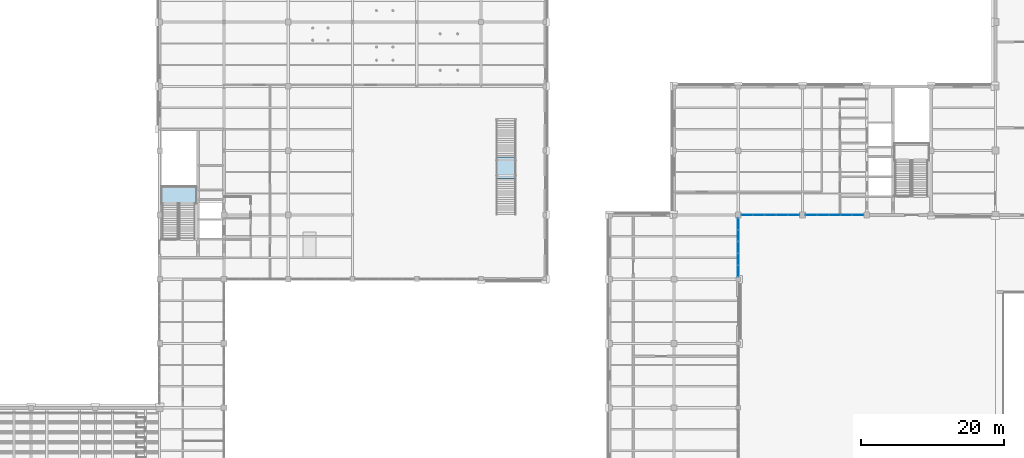
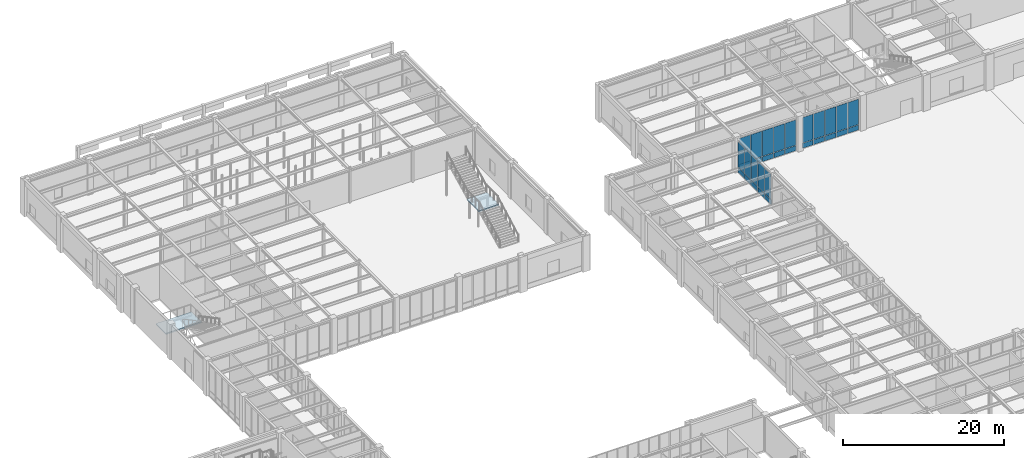
# One storey, part 56 of 77: 30 plates, 2 slabs, 5 elements without a shape of their own.
"""IFC4 building model written with IfcOpenShell, lengths in metres."""

from ifc_helpers import new_model, si_unit, direction, frame, origin, origin_2d, place, context, subcontext, project, spatial, polyline, rectangle, outline, extrude, material, layer, layer_set, type_object, element, aggregate, save


model = new_model("IFC4")

# Units and contexts
model_context = context("Model", 3, precision=1e-05, world=origin(), true_north=direction((0.0, 1.0)))
body_context = subcontext(model_context, "Body", "Model", "MODEL_VIEW")
ifc_project = project(units=[si_unit("LENGTHUNIT", "METRE"), si_unit("AREAUNIT", "SQUARE_METRE"), si_unit("VOLUMEUNIT", "CUBIC_METRE"), si_unit("PLANEANGLEUNIT", "RADIAN"), si_unit("MASSUNIT", "GRAM", prefix="KILO")], contexts=[model_context])

# Site, building, storey
site_placement = place(None, origin())
site = spatial("IfcSite", under=ifc_project, at=site_placement, CompositionType="ELEMENT")
building_placement = place(site_placement, origin())
building = spatial("IfcBuilding", under=site, at=building_placement, Name="Lykobir Media Centre", CompositionType="ELEMENT")
storey_placement = place(building_placement, origin())
storey = spatial("IfcBuildingStorey", under=building, at=storey_placement, Name="L00", CompositionType="ELEMENT", Elevation=0.0)

# Curtain wall, plates
ifc_material_1 = material(Name="Anodized Aluminium AW-6060", Category="aluminium")
curtain_wall_type = type_object("IfcCurtainWallType", Name="CW-COURT-A", PredefinedType="NOTDEFINED", material=ifc_material_1)
curtain_wall_1_placement = place(storey_placement, origin())
curtain_wall_1 = element("IfcCurtainWall", 1, at=curtain_wall_1_placement, inside=storey, type_object=curtain_wall_type, Name="Curtain wall CW2-L00-0007", PredefinedType="NOTDEFINED")
ifc_material_2 = material(Name="Low-E Laminated Triple Glazing", Category="glass")
ifc_layer_1 = layer(ifc_material_2, 0.0380859375, Name="Low-E Laminated Triple Glazing")
ifc_layer_set_1 = layer_set([ifc_layer_1], Name="Low-E Laminated Triple Glazing")
plate_type_1 = type_object("IfcPlateType", Name="CWP-GLZ-38", PredefinedType="CURTAIN_PANEL", material=ifc_layer_set_1)
plate_1_placement = place(storey_placement, frame((108.0, 70.749755859375, 0.882568359375), z_axis=(0.0, 0.0, 1.0), x_axis=(0.0, -1.0, 0.0)))
plate_1 = element("IfcPlate", 2, at=plate_1_placement, type_object=plate_type_1, Name="CW2-L00-0007 panel 1.2", PredefinedType="CURTAIN_PANEL", context=body_context, shape_type="SweptSolid", body=[
    extrude(rectangle(XDim=1.560546875, YDim=0.0380859375, at=origin_2d()), origin(), (0.0, 0.0, 1.0), 3.805419921875),
])
plate_2_placement = place(storey_placement, frame((108.0, 69.10791015625, 0.882568359375), z_axis=(0.0, 0.0, 1.0), x_axis=(0.0, -1.0, 0.0)))
plate_2 = element("IfcPlate", 3, at=plate_2_placement, type_object=plate_type_1, Name="CW2-L00-0007 panel 2.2", PredefinedType="CURTAIN_PANEL", context=body_context, shape_type="SweptSolid", body=[
    extrude(rectangle(XDim=1.593017578125, YDim=0.0380859375, at=origin_2d()), origin(), (0.0, 0.0, 1.0), 3.805419921875),
])
plate_3_placement = place(storey_placement, frame((108.0, 67.449951171875, 0.882568359375), z_axis=(0.0, 0.0, 1.0), x_axis=(0.0, -1.0, 0.0)))
plate_3 = element("IfcPlate", 4, at=plate_3_placement, type_object=plate_type_1, Name="CW2-L00-0007 panel 3.2", PredefinedType="CURTAIN_PANEL", context=body_context, shape_type="SweptSolid", body=[
    extrude(rectangle(XDim=1.593017578125, YDim=0.0380859375, at=origin_2d()), origin(), (0.0, 0.0, 1.0), 3.805419921875),
])
plate_4_placement = place(storey_placement, frame((108.0, 65.7919921875, 0.882568359375), z_axis=(0.0, 0.0, 1.0), x_axis=(0.0, -1.0, 0.0)))
plate_4 = element("IfcPlate", 5, at=plate_4_placement, type_object=plate_type_1, Name="CW2-L00-0007 panel 4.2", PredefinedType="CURTAIN_PANEL", context=body_context, shape_type="SweptSolid", body=[
    extrude(rectangle(XDim=1.593017578125, YDim=0.0380859375, at=origin_2d()), origin(), (0.0, 0.0, 1.0), 3.805419921875),
])
plate_5_placement = place(storey_placement, frame((108.0, 64.150146484375, 0.882568359375), z_axis=(0.0, 0.0, 1.0), x_axis=(0.0, -1.0, 0.0)))
plate_5 = element("IfcPlate", 6, at=plate_5_placement, type_object=plate_type_1, Name="CW2-L00-0007 panel 5.2", PredefinedType="CURTAIN_PANEL", context=body_context, shape_type="SweptSolid", body=[
    extrude(rectangle(XDim=1.560546875, YDim=0.0380859375, at=origin_2d()), origin(), (0.0, 0.0, 1.0), 3.805419921875),
])

curtain_wall_2_placement = place(storey_placement, origin())
curtain_wall_2 = element("IfcCurtainWall", 7, at=curtain_wall_2_placement, inside=storey, type_object=curtain_wall_type, Name="Curtain wall CW2-L00-0008", PredefinedType="NOTDEFINED")
plate_6_placement = place(storey_placement, frame((115.759765625, 72.0, 0.882568359375), z_axis=(0.0, 0.0, 1.0), x_axis=(-1.0, 0.0, 0.0)))
plate_6 = element("IfcPlate", 8, at=plate_6_placement, type_object=plate_type_1, Name="CW2-L00-0008 panel 1.2", PredefinedType="CURTAIN_PANEL", context=body_context, shape_type="SweptSolid", body=[
    extrude(rectangle(XDim=1.54052734375, YDim=0.0380859375, at=origin_2d()), origin(), (0.0, 0.0, 1.0), 3.847412109375),
])
plate_7_placement = place(storey_placement, frame((114.137939453125, 72.0, 0.882568359375), z_axis=(0.0, 0.0, 1.0), x_axis=(-1.0, 0.0, 0.0)))
plate_7 = element("IfcPlate", 9, at=plate_7_placement, type_object=plate_type_1, Name="CW2-L00-0008 panel 2.2", PredefinedType="CURTAIN_PANEL", context=body_context, shape_type="SweptSolid", body=[
    extrude(rectangle(XDim=1.572998046875, YDim=0.0380859375, at=origin_2d()), origin(), (0.0, 0.0, 1.0), 3.847412109375),
])
plate_8_placement = place(storey_placement, frame((112.5, 72.0, 0.882568359375), z_axis=(0.0, 0.0, 1.0), x_axis=(-1.0, 0.0, 0.0)))
plate_8 = element("IfcPlate", 10, at=plate_8_placement, type_object=plate_type_1, Name="CW2-L00-0008 panel 3.2", PredefinedType="CURTAIN_PANEL", context=body_context, shape_type="SweptSolid", body=[
    extrude(rectangle(XDim=1.572998046875, YDim=0.0380859375, at=origin_2d()), origin(), (0.0, 0.0, 1.0), 3.847412109375),
])
plate_9_placement = place(storey_placement, frame((110.862060546875, 72.0, 0.882568359375), z_axis=(0.0, 0.0, 1.0), x_axis=(-1.0, 0.0, 0.0)))
plate_9 = element("IfcPlate", 11, at=plate_9_placement, type_object=plate_type_1, Name="CW2-L00-0008 panel 4.2", PredefinedType="CURTAIN_PANEL", context=body_context, shape_type="SweptSolid", body=[
    extrude(rectangle(XDim=1.572998046875, YDim=0.0380859375, at=origin_2d()), origin(), (0.0, 0.0, 1.0), 3.847412109375),
])
plate_10_placement = place(storey_placement, frame((109.240234375, 72.0, 0.882568359375), z_axis=(0.0, 0.0, 1.0), x_axis=(-1.0, 0.0, 0.0)))
plate_10 = element("IfcPlate", 12, at=plate_10_placement, type_object=plate_type_1, Name="CW2-L00-0008 panel 5.2", PredefinedType="CURTAIN_PANEL", context=body_context, shape_type="SweptSolid", body=[
    extrude(rectangle(XDim=1.54052734375, YDim=0.0380859375, at=origin_2d()), origin(), (0.0, 0.0, 1.0), 3.847412109375),
])

curtain_wall_3_placement = place(storey_placement, origin())
curtain_wall_3 = element("IfcCurtainWall", 13, at=curtain_wall_3_placement, inside=storey, type_object=curtain_wall_type, Name="Curtain wall CW2-L00-0009", PredefinedType="NOTDEFINED")
plate_11_placement = place(storey_placement, frame((124.759765625, 72.0, 0.882568359375), z_axis=(0.0, 0.0, 1.0), x_axis=(-1.0, 0.0, 0.0)))
plate_11 = element("IfcPlate", 14, at=plate_11_placement, type_object=plate_type_1, Name="CW2-L00-0009 panel 1.2", PredefinedType="CURTAIN_PANEL", context=body_context, shape_type="SweptSolid", body=[
    extrude(rectangle(XDim=1.54052734375, YDim=0.0380859375, at=origin_2d()), origin(), (0.0, 0.0, 1.0), 3.847412109375),
])
plate_12_placement = place(storey_placement, frame((123.137939453125, 72.0, 0.882568359375), z_axis=(0.0, 0.0, 1.0), x_axis=(-1.0, 0.0, 0.0)))
plate_12 = element("IfcPlate", 15, at=plate_12_placement, type_object=plate_type_1, Name="CW2-L00-0009 panel 2.2", PredefinedType="CURTAIN_PANEL", context=body_context, shape_type="SweptSolid", body=[
    extrude(rectangle(XDim=1.572998046875, YDim=0.0380859375, at=origin_2d()), origin(), (0.0, 0.0, 1.0), 3.847412109375),
])
plate_13_placement = place(storey_placement, frame((121.5, 72.0, 0.882568359375), z_axis=(0.0, 0.0, 1.0), x_axis=(-1.0, 0.0, 0.0)))
plate_13 = element("IfcPlate", 16, at=plate_13_placement, type_object=plate_type_1, Name="CW2-L00-0009 panel 3.2", PredefinedType="CURTAIN_PANEL", context=body_context, shape_type="SweptSolid", body=[
    extrude(rectangle(XDim=1.572998046875, YDim=0.0380859375, at=origin_2d()), origin(), (0.0, 0.0, 1.0), 3.847412109375),
])
plate_14_placement = place(storey_placement, frame((119.862060546875, 72.0, 0.882568359375), z_axis=(0.0, 0.0, 1.0), x_axis=(-1.0, 0.0, 0.0)))
plate_14 = element("IfcPlate", 17, at=plate_14_placement, type_object=plate_type_1, Name="CW2-L00-0009 panel 4.2", PredefinedType="CURTAIN_PANEL", context=body_context, shape_type="SweptSolid", body=[
    extrude(rectangle(XDim=1.572998046875, YDim=0.0380859375, at=origin_2d()), origin(), (0.0, 0.0, 1.0), 3.847412109375),
])
plate_15_placement = place(storey_placement, frame((118.240234375, 72.0, 0.882568359375), z_axis=(0.0, 0.0, 1.0), x_axis=(-1.0, 0.0, 0.0)))
plate_15 = element("IfcPlate", 18, at=plate_15_placement, type_object=plate_type_1, Name="CW2-L00-0009 panel 5.2", PredefinedType="CURTAIN_PANEL", context=body_context, shape_type="SweptSolid", body=[
    extrude(rectangle(XDim=1.54052734375, YDim=0.0380859375, at=origin_2d()), origin(), (0.0, 0.0, 1.0), 3.847412109375),
])

# Plate
ifc_material_3 = material(Name="Glazed Turquoise Terracotta", Category="masonry")
ifc_layer_2 = layer(ifc_material_3, 0.06005859375, Name="Glazed Turquoise Terracotta")
ifc_layer_set_2 = layer_set([ifc_layer_2], Name="Glazed Turquoise Terracotta")
plate_type_2 = type_object("IfcPlateType", Name="CWP-SPN-60", PredefinedType="CURTAIN_PANEL", material=ifc_layer_set_2)
plate_16_placement = place(storey_placement, frame((108.0, 70.749755859375, 0.06494140625), z_axis=(0.0, 0.0, 1.0), x_axis=(0.0, -1.0, 0.0)))
plate_16 = element("IfcPlate", 19, at=plate_16_placement, type_object=plate_type_2, Name="CW2-L00-0007 panel 1.1", PredefinedType="CURTAIN_PANEL", context=body_context, shape_type="SweptSolid", body=[
    extrude(rectangle(XDim=1.560546875, YDim=0.06005859375, at=origin_2d()), origin(), (0.0, 0.0, 1.0), 0.75244140625),
])

plate_17_placement = place(storey_placement, frame((108.0, 69.10791015625, 0.06494140625), z_axis=(0.0, 0.0, 1.0), x_axis=(0.0, -1.0, 0.0)))
plate_17 = element("IfcPlate", 20, at=plate_17_placement, type_object=plate_type_2, Name="CW2-L00-0007 panel 2.1", PredefinedType="CURTAIN_PANEL", context=body_context, shape_type="SweptSolid", body=[
    extrude(rectangle(XDim=1.593017578125, YDim=0.06005859375, at=origin_2d()), origin(), (0.0, 0.0, 1.0), 0.75244140625),
])

plate_18_placement = place(storey_placement, frame((108.0, 67.449951171875, 0.06494140625), z_axis=(0.0, 0.0, 1.0), x_axis=(0.0, -1.0, 0.0)))
plate_18 = element("IfcPlate", 21, at=plate_18_placement, type_object=plate_type_2, Name="CW2-L00-0007 panel 3.1", PredefinedType="CURTAIN_PANEL", context=body_context, shape_type="SweptSolid", body=[
    extrude(rectangle(XDim=1.593017578125, YDim=0.06005859375, at=origin_2d()), origin(), (0.0, 0.0, 1.0), 0.75244140625),
])

plate_19_placement = place(storey_placement, frame((108.0, 65.7919921875, 0.06494140625), z_axis=(0.0, 0.0, 1.0), x_axis=(0.0, -1.0, 0.0)))
plate_19 = element("IfcPlate", 22, at=plate_19_placement, type_object=plate_type_2, Name="CW2-L00-0007 panel 4.1", PredefinedType="CURTAIN_PANEL", context=body_context, shape_type="SweptSolid", body=[
    extrude(rectangle(XDim=1.593017578125, YDim=0.06005859375, at=origin_2d()), origin(), (0.0, 0.0, 1.0), 0.75244140625),
])

plate_20_placement = place(storey_placement, frame((108.0, 64.150146484375, 0.06494140625), z_axis=(0.0, 0.0, 1.0), x_axis=(0.0, -1.0, 0.0)))
plate_20 = element("IfcPlate", 23, at=plate_20_placement, type_object=plate_type_2, Name="CW2-L00-0007 panel 5.1", PredefinedType="CURTAIN_PANEL", context=body_context, shape_type="SweptSolid", body=[
    extrude(rectangle(XDim=1.560546875, YDim=0.06005859375, at=origin_2d()), origin(), (0.0, 0.0, 1.0), 0.75244140625),
])

aggregate(curtain_wall_1, [plate_16, plate_1, plate_17, plate_2, plate_18, plate_3, plate_19, plate_4, plate_20, plate_5])

plate_21_placement = place(storey_placement, frame((115.759765625, 72.0, 0.06494140625), z_axis=(0.0, 0.0, 1.0), x_axis=(-1.0, 0.0, 0.0)))
plate_21 = element("IfcPlate", 24, at=plate_21_placement, type_object=plate_type_2, Name="CW2-L00-0008 panel 1.1", PredefinedType="CURTAIN_PANEL", context=body_context, shape_type="SweptSolid", body=[
    extrude(rectangle(XDim=1.54052734375, YDim=0.06005859375, at=origin_2d()), origin(), (0.0, 0.0, 1.0), 0.75244140625),
])

plate_22_placement = place(storey_placement, frame((114.137939453125, 72.0, 0.06494140625), z_axis=(0.0, 0.0, 1.0), x_axis=(-1.0, 0.0, 0.0)))
plate_22 = element("IfcPlate", 25, at=plate_22_placement, type_object=plate_type_2, Name="CW2-L00-0008 panel 2.1", PredefinedType="CURTAIN_PANEL", context=body_context, shape_type="SweptSolid", body=[
    extrude(rectangle(XDim=1.572998046875, YDim=0.06005859375, at=origin_2d()), origin(), (0.0, 0.0, 1.0), 0.75244140625),
])

plate_23_placement = place(storey_placement, frame((112.5, 72.0, 0.06494140625), z_axis=(0.0, 0.0, 1.0), x_axis=(-1.0, 0.0, 0.0)))
plate_23 = element("IfcPlate", 26, at=plate_23_placement, type_object=plate_type_2, Name="CW2-L00-0008 panel 3.1", PredefinedType="CURTAIN_PANEL", context=body_context, shape_type="SweptSolid", body=[
    extrude(rectangle(XDim=1.572998046875, YDim=0.06005859375, at=origin_2d()), origin(), (0.0, 0.0, 1.0), 0.75244140625),
])

plate_24_placement = place(storey_placement, frame((110.862060546875, 72.0, 0.06494140625), z_axis=(0.0, 0.0, 1.0), x_axis=(-1.0, 0.0, 0.0)))
plate_24 = element("IfcPlate", 27, at=plate_24_placement, type_object=plate_type_2, Name="CW2-L00-0008 panel 4.1", PredefinedType="CURTAIN_PANEL", context=body_context, shape_type="SweptSolid", body=[
    extrude(rectangle(XDim=1.572998046875, YDim=0.06005859375, at=origin_2d()), origin(), (0.0, 0.0, 1.0), 0.75244140625),
])

plate_25_placement = place(storey_placement, frame((109.240234375, 72.0, 0.06494140625), z_axis=(0.0, 0.0, 1.0), x_axis=(-1.0, 0.0, 0.0)))
plate_25 = element("IfcPlate", 28, at=plate_25_placement, type_object=plate_type_2, Name="CW2-L00-0008 panel 5.1", PredefinedType="CURTAIN_PANEL", context=body_context, shape_type="SweptSolid", body=[
    extrude(rectangle(XDim=1.54052734375, YDim=0.06005859375, at=origin_2d()), origin(), (0.0, 0.0, 1.0), 0.75244140625),
])

aggregate(curtain_wall_2, [plate_21, plate_6, plate_22, plate_7, plate_23, plate_8, plate_24, plate_9, plate_25, plate_10])

plate_26_placement = place(storey_placement, frame((124.759765625, 72.0, 0.06494140625), z_axis=(0.0, 0.0, 1.0), x_axis=(-1.0, 0.0, 0.0)))
plate_26 = element("IfcPlate", 29, at=plate_26_placement, type_object=plate_type_2, Name="CW2-L00-0009 panel 1.1", PredefinedType="CURTAIN_PANEL", context=body_context, shape_type="SweptSolid", body=[
    extrude(rectangle(XDim=1.54052734375, YDim=0.06005859375, at=origin_2d()), origin(), (0.0, 0.0, 1.0), 0.75244140625),
])

plate_27_placement = place(storey_placement, frame((123.137939453125, 72.0, 0.06494140625), z_axis=(0.0, 0.0, 1.0), x_axis=(-1.0, 0.0, 0.0)))
plate_27 = element("IfcPlate", 30, at=plate_27_placement, type_object=plate_type_2, Name="CW2-L00-0009 panel 2.1", PredefinedType="CURTAIN_PANEL", context=body_context, shape_type="SweptSolid", body=[
    extrude(rectangle(XDim=1.572998046875, YDim=0.06005859375, at=origin_2d()), origin(), (0.0, 0.0, 1.0), 0.75244140625),
])

plate_28_placement = place(storey_placement, frame((121.5, 72.0, 0.06494140625), z_axis=(0.0, 0.0, 1.0), x_axis=(-1.0, 0.0, 0.0)))
plate_28 = element("IfcPlate", 31, at=plate_28_placement, type_object=plate_type_2, Name="CW2-L00-0009 panel 3.1", PredefinedType="CURTAIN_PANEL", context=body_context, shape_type="SweptSolid", body=[
    extrude(rectangle(XDim=1.572998046875, YDim=0.06005859375, at=origin_2d()), origin(), (0.0, 0.0, 1.0), 0.75244140625),
])

plate_29_placement = place(storey_placement, frame((119.862060546875, 72.0, 0.06494140625), z_axis=(0.0, 0.0, 1.0), x_axis=(-1.0, 0.0, 0.0)))
plate_29 = element("IfcPlate", 32, at=plate_29_placement, type_object=plate_type_2, Name="CW2-L00-0009 panel 4.1", PredefinedType="CURTAIN_PANEL", context=body_context, shape_type="SweptSolid", body=[
    extrude(rectangle(XDim=1.572998046875, YDim=0.06005859375, at=origin_2d()), origin(), (0.0, 0.0, 1.0), 0.75244140625),
])

plate_30_placement = place(storey_placement, frame((118.240234375, 72.0, 0.06494140625), z_axis=(0.0, 0.0, 1.0), x_axis=(-1.0, 0.0, 0.0)))
plate_30 = element("IfcPlate", 33, at=plate_30_placement, type_object=plate_type_2, Name="CW2-L00-0009 panel 5.1", PredefinedType="CURTAIN_PANEL", context=body_context, shape_type="SweptSolid", body=[
    extrude(rectangle(XDim=1.54052734375, YDim=0.06005859375, at=origin_2d()), origin(), (0.0, 0.0, 1.0), 0.75244140625),
])

aggregate(curtain_wall_3, [plate_26, plate_11, plate_27, plate_12, plate_28, plate_13, plate_29, plate_14, plate_30, plate_15])

# Stair, slab
ifc_material_4 = material(Name="Concrete C30/37", Category="concrete")
stair_type_1 = type_object("IfcStairType", Name="ST-HT-540", PredefinedType="HALF_TURN_STAIR", material=ifc_material_4)
stair_1_placement = place(storey_placement, origin())
stair_1 = element("IfcStair", 34, at=stair_1_placement, inside=storey, type_object=stair_type_1, Name="Escape stair ST-3 L00", PredefinedType="HALF_TURN_STAIR")
ifc_layer_3 = layer(ifc_material_4, 0.195068359375, Name="Concrete C30/37")
ifc_layer_set_3 = layer_set([ifc_layer_3], Name="Concrete C30/37")
slab_type_1 = type_object("IfcSlabType", Name="SL-195", PredefinedType="LANDING", material=ifc_layer_set_3)
slab_1_placement = place(storey_placement, frame((0.0, 0.0, 2.5048828125)))
slab_1 = element("IfcSlab", 35, at=slab_1_placement, type_object=slab_type_1, Name="ST-3-L00 landing 1", PredefinedType="LANDING", context=body_context, shape_type="SweptSolid", body=[
    extrude(outline(polyline([(27.1298828125, 73.550048828125), (32.27001953125, 73.550048828125), (32.27001953125, 76.030029296875), (27.1298828125, 76.030029296875), (27.1298828125, 73.550048828125)])), origin(), (0.0, 0.0, 1.0), 0.195068359375),
])
aggregate(stair_1, [slab_1])

stair_type_2 = type_object("IfcStairType", Name="ST-VAL-1", PredefinedType="STRAIGHT_RUN_STAIR", material=ifc_material_4)
stair_2_placement = place(storey_placement, origin())
stair_2 = element("IfcStair", 36, at=stair_2_placement, inside=storey, type_object=stair_type_2, Name="Valley terrace feature stair 1", PredefinedType="STRAIGHT_RUN_STAIR")
ifc_layer_4 = layer(ifc_material_4, 0.205078125, Name="Concrete C30/37")
ifc_layer_set_4 = layer_set([ifc_layer_4], Name="Concrete C30/37")
slab_type_2 = type_object("IfcSlabType", Name="SL-205", PredefinedType="LANDING", material=ifc_layer_set_4)
slab_2_placement = place(storey_placement, frame((0.0, 0.0, 2.4951171875)))
slab_2 = element("IfcSlab", 37, at=slab_2_placement, type_object=slab_type_2, Name="ST-VAL-1 landing 1", PredefinedType="LANDING", context=body_context, shape_type="SweptSolid", body=[
    extrude(outline(polyline([(74.050048828125, 77.090087890625), (76.949951171875, 77.090087890625), (76.949951171875, 80.10009765625), (74.050048828125, 80.10009765625), (74.050048828125, 77.090087890625)])), origin(), (0.0, 0.0, 1.0), 0.204833984375),
])
aggregate(stair_2, [slab_2])

save(model, "model.ifc")
